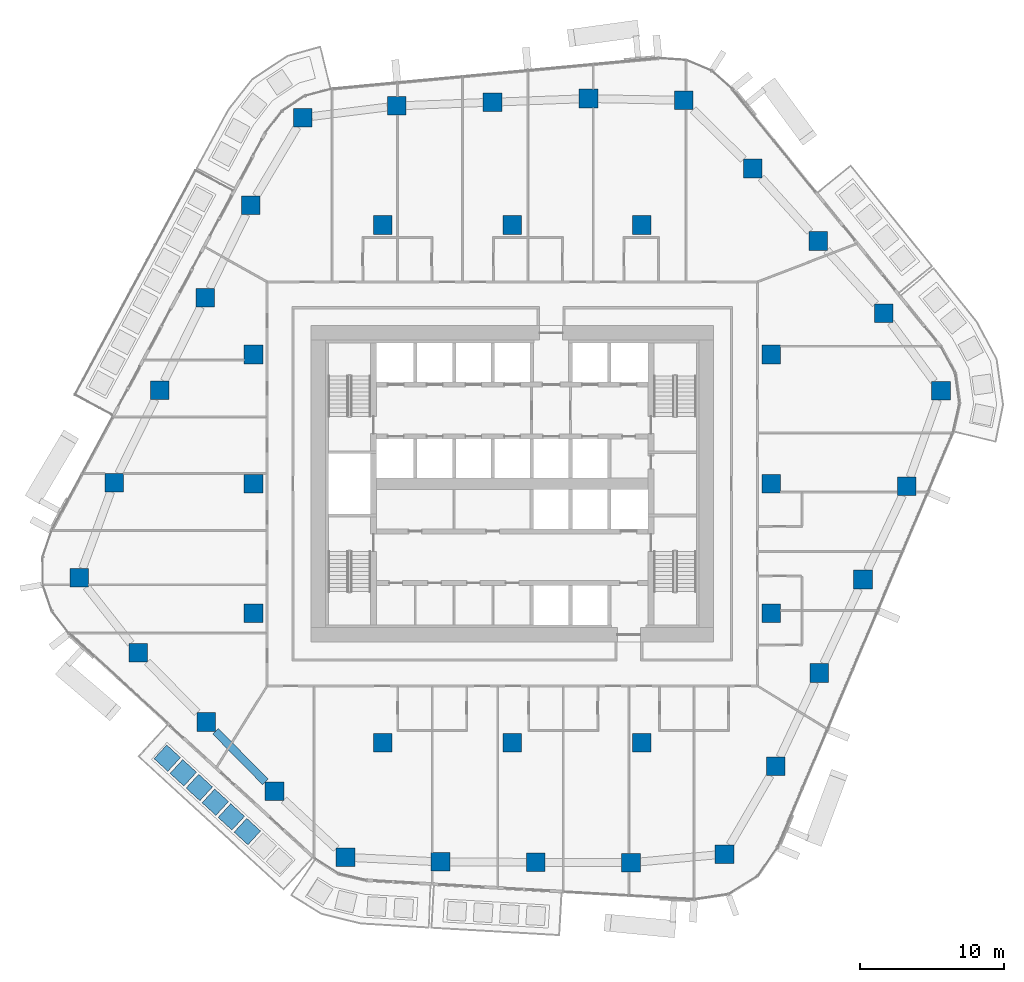
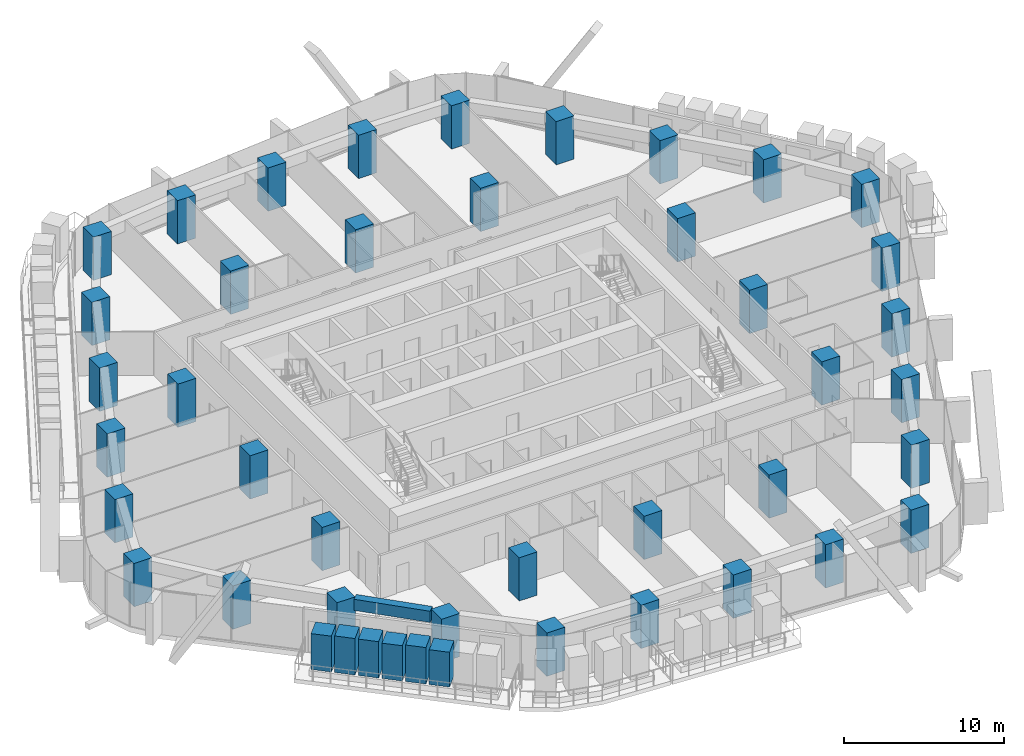
# One storey, part 1 of 23: 38 columns, 6 members, 1 beam.
"""IFC4 building model written with IfcOpenShell, lengths in metres."""

from ifc_helpers import new_model, si_unit, direction, frame, origin, origin_2d, place, context, subcontext, project, spatial, rectangle, extrude, material, material_profile, profile_set, type_object, element, save


model = new_model("IFC4")

# Units and contexts
model_context = context("Model", 3, precision=1e-05, world=origin(), true_north=direction((0.0, 1.0)))
body_context = subcontext(model_context, "Body", "Model", "MODEL_VIEW")
ifc_project = project(units=[si_unit("LENGTHUNIT", "METRE"), si_unit("AREAUNIT", "SQUARE_METRE"), si_unit("VOLUMEUNIT", "CUBIC_METRE"), si_unit("PLANEANGLEUNIT", "RADIAN"), si_unit("MASSUNIT", "GRAM", prefix="KILO")], contexts=[model_context])

# Site, building, storey
site_placement = place(None, origin())
site = spatial("IfcSite", under=ifc_project, at=site_placement, CompositionType="ELEMENT")
building_placement = place(site_placement, origin())
building = spatial("IfcBuilding", under=site, at=building_placement, Name="Dongbaek Canopy Tower", CompositionType="ELEMENT")
storey_placement = place(building_placement, frame((0.0, 0.0, 121.10009765625)))
storey = spatial("IfcBuildingStorey", under=building, at=storey_placement, Name="L26", CompositionType="ELEMENT", Elevation=121.10009765625)

# Columns
ifc_material_1 = material(Name="Concrete C80", Category="concrete")
ifc_material_profile_1 = material_profile(ifc_material_1, rectangle(XDim=1.300048828125, YDim=1.300048828125, at=origin_2d()), Name="RC COLUMN 1300x1300 C80")
ifc_profile_set_1 = profile_set([ifc_material_profile_1], Name="Concrete C80")
column_type = type_object("IfcColumnType", Name="RC COLUMN 1300x1300 C80", PredefinedType="COLUMN", material=ifc_profile_set_1)
for number, where, z_axis, x_axis, name in (
    (1, (14.760009765625, -25.7490234375, 0.0), (0.0, 0.0, 1.0), (1.0, 0.0, 0.0), "COL:CZ2-01:L26"),
    (2, (8.258056640625, -26.34912109375, 0.0), (0.0, 0.0, 1.0), (1.0, 0.0, 0.0), "COL:CZ2-02:L26"),
    (3, (1.62890625, -26.319091796875, 0.0), (0.0, 0.0, 1.0), (1.0, 0.0, 0.0), "COL:CZ2-03:L26"),
    (4, (-5.0, -26.2900390625, 0.0), (0.0, 0.0, 1.0), (1.0, 0.0, 0.0), "COL:CZ2-04:L26"),
    (5, (-11.59912109375, -25.966064453125, 0.0), (0.0, 0.0, 1.0), (1.0, 0.0, 0.0), "COL:CZ2-05:L26"),
    (6, (-16.532958984375, -21.376953125, 0.0), (0.0, 0.0, 1.0), (1.0, 0.0, 0.0), "COL:CZ2-06:L26"),
    (7, (-21.277099609375, -16.56005859375, 0.0), (0.0, 0.0, 1.0), (1.0, 0.0, 0.0), "COL:CZ2-07:L26"),
    (8, (-26.02099609375, -11.742919921875, 0.0), (0.0, 0.0, 1.0), (1.0, 0.0, 0.0), "COL:CZ2-08:L26"),
    (9, (-30.125, -6.527099609375, 0.0), (0.0, 0.0, 1.0), (1.0, 0.0, 0.0), "COL:CZ2-09:L26"),
    (10, (-27.693115234375, 0.0830078125, 0.0), (0.0, 0.0, 1.0), (1.0, 0.0, 0.0), "COL:CZ2-10:L26"),
    (11, (-24.529052734375, 6.51806640625, 0.0), (0.0, 0.0, 1.0), (1.0, 0.0, 0.0), "COL:CZ2-11:L26"),
    (12, (-21.364013671875, 12.951904296875, 0.0), (0.0, 0.0, 1.0), (1.0, 0.0, 0.0), "COL:CZ2-12:L26"),
    (13, (-18.198974609375, 19.385986328125, 0.0), (0.0, 0.0, 1.0), (1.0, 0.0, 0.0), "COL:CZ2-13:L26"),
    (14, (-14.575927734375, 25.471923828125, 0.0), (0.0, 0.0, 1.0), (1.0, 0.0, 0.0), "COL:CZ2-14:L26"),
    (15, (-8.041015625, 26.2880859375, 0.0), (0.0, 0.0, 1.0), (1.0, 0.0, 0.0), "COL:CZ2-15:L26"),
    (16, (-1.3720703125, 26.5439453125, 0.0), (0.0, 0.0, 1.0), (1.0, 0.0, 0.0), "COL:CZ2-16:L26"),
    (17, (5.294921875, 26.798095703125, 0.0), (0.0, 0.0, 1.0), (1.0, 0.0, 0.0), "COL:CZ2-17:L26"),
    (18, (11.9169921875, 26.674072265625, 0.0), (0.0, 0.0, 1.0), (1.0, 0.0, 0.0), "COL:CZ2-18:L26"),
    (19, (16.718017578125, 21.93505859375, 0.0), (0.0, 0.0, 1.0), (1.0, 0.0, 0.0), "COL:CZ2-19:L26"),
    (20, (21.280029296875, 16.89794921875, 0.0), (0.0, 0.0, 1.0), (1.0, 0.0, 0.0), "COL:CZ2-20:L26"),
    (21, (25.841064453125, 11.862060546875, 0.0), (0.0, 0.0, 1.0), (1.0, 0.0, 0.0), "COL:CZ2-21:L26"),
    (22, (29.81103515625, 6.48193359375, 0.0), (0.0, 0.0, 1.0), (1.0, 0.0, 0.0), "COL:CZ2-22:L26"),
    (23, (27.43603515625, -0.1650390625, 0.0), (0.0, 0.0, 1.0), (1.0, 0.0, 0.0), "COL:CZ2-23:L26"),
    (24, (24.39599609375, -6.656982421875, 0.0), (0.0, 0.0, 1.0), (1.0, 0.0, 0.0), "COL:CZ2-24:L26"),
    (25, (21.35595703125, -13.14990234375, 0.0), (0.0, 0.0, 1.0), (1.0, 0.0, 0.0), "COL:CZ2-25:L26"),
    (26, (18.31494140625, -19.64208984375, 0.0), (0.0, 0.0, 1.0), (1.0, 0.0, 0.0), "COL:CZ2-26:L26"),
    (27, (-18.0, -9.0, 0.0), (0.0, 0.0, 1.0), (1.0, 0.0, 0.0), "COL:CIZ2-01:L26"),
    (28, (-18.0, 0.0, 0.0), (0.0, 0.0, 1.0), (1.0, 0.0, 0.0), "COL:CIZ2-02:L26"),
    (29, (-18.0, 9.0, 0.0), (0.0, 0.0, 1.0), (1.0, 0.0, 0.0), "COL:CIZ2-03:L26"),
    (30, (-9.0, -18.0, 0.0), (0.0, 0.0, 1.0), (1.0, 0.0, 0.0), "COL:CIZ2-04:L26"),
    (31, (-9.0, 18.0, 0.0), (0.0, 0.0, 1.0), (1.0, 0.0, 0.0), "COL:CIZ2-05:L26"),
    (32, (0.0, -18.0, 0.0), (0.0, 0.0, 1.0), (1.0, 0.0, 0.0), "COL:CIZ2-06:L26"),
    (33, (0.0, 18.0, 0.0), (0.0, 0.0, 1.0), (1.0, 0.0, 0.0), "COL:CIZ2-07:L26"),
    (34, (9.0, -18.0, 0.0), (0.0, 0.0, 1.0), (1.0, 0.0, 0.0), "COL:CIZ2-08:L26"),
    (35, (9.0, 18.0, 0.0), (0.0, 0.0, 1.0), (1.0, 0.0, 0.0), "COL:CIZ2-09:L26"),
    (36, (18.0, -9.0, 0.0), (0.0, 0.0, 1.0), (1.0, 0.0, 0.0), "COL:CIZ2-10:L26"),
    (37, (18.0, 0.0, 0.0), (0.0, 0.0, 1.0), (1.0, 0.0, 0.0), "COL:CIZ2-11:L26"),
    (38, (18.0, 9.0, 0.0), (0.0, 0.0, 1.0), (1.0, 0.0, 0.0), "COL:CIZ2-12:L26"),
):
    element("IfcColumn", number, at=place(storey_placement, frame(where, z_axis=z_axis, x_axis=x_axis)), inside=storey, type_object=column_type, Name=name, PredefinedType="COLUMN", context=body_context, shape_type="SweptSolid", body=[
        extrude(rectangle(XDim=1.300048828125, YDim=1.300048828125, at=origin_2d()), origin(), (0.0, 0.0, 1.0), 3.2998046875),
    ])

# Beam
ifc_material_2 = material(Name="Concrete C80", Category="concrete")
ifc_material_profile_2 = material_profile(ifc_material_2, rectangle(XDim=0.550048828125, YDim=0.85009765625, at=origin_2d()), Name="RC EDGE BEAM 550x850 C80")
ifc_profile_set_2 = profile_set([ifc_material_profile_2], Name="Concrete C80")
beam_type = type_object("IfcBeamType", Name="RC EDGE BEAM 550x850 C80", PredefinedType="BEAM", material=ifc_profile_set_2)
beam_placement = place(storey_placement, frame((-17.173095703125, -20.72705078125, 2.875), z_axis=(-0.701695422573, 0.712477040992, 0.0), x_axis=(-0.712477040992, -0.701695422573, 0.0)))
element("IfcBeam", 39, at=beam_placement, inside=storey, type_object=beam_type, Name="EDGEBEAM:L26:05", PredefinedType="BEAM", context=body_context, shape_type="SweptSolid", body=[
    extrude(rectangle(XDim=0.550048828125, YDim=0.85009765625, at=origin_2d()), origin(), (0.0, 0.0, 1.0), 4.9365234375),
])

# Members
ifc_material_3 = material(Name="Concrete C40/50 planter mass with planting", Category="concrete")
ifc_material_profile_3 = material_profile(ifc_material_3, rectangle(XDim=1.300048828125, YDim=1.300048828125, at=origin_2d()), Name="Terrace PLANTER shrub mass 1300 x 1300")
ifc_profile_set_3 = profile_set([ifc_material_profile_3], Name="Concrete C40/50 planter mass with planting")
member_type = type_object("IfcMemberType", Name="Terrace PLANTER shrub mass 1300 x 1300", PredefinedType="USERDEFINED", material=ifc_profile_set_3)
member_1_placement = place(storey_placement, frame((-23.99560546875, -19.074462890625, 0.419921875), z_axis=(0.0, 0.0, 1.0), x_axis=(-0.675980347655, -0.73691964934, 0.0)))
element("IfcMember", 40, at=member_1_placement, inside=storey, type_object=member_type, Name="Planter shrubs L26 3.1", ObjectType="PLANTER", PredefinedType="USERDEFINED", context=body_context, shape_type="SweptSolid", body=[
    extrude(rectangle(XDim=1.300048828125, YDim=1.300048828125, at=origin_2d()), origin(), (0.0, 0.0, 1.0), 2.72998046875),
])
member_2_placement = place(storey_placement, frame((-22.882080078125, -20.095947265625, 0.419921875), z_axis=(0.0, 0.0, 1.0), x_axis=(-0.675980347655, -0.73691964934, 0.0)))
element("IfcMember", 41, at=member_2_placement, inside=storey, type_object=member_type, Name="Planter shrubs L26 3.2", ObjectType="PLANTER", PredefinedType="USERDEFINED", context=body_context, shape_type="SweptSolid", body=[
    extrude(rectangle(XDim=1.300048828125, YDim=1.300048828125, at=origin_2d()), origin(), (0.0, 0.0, 1.0), 2.780029296875),
])
member_3_placement = place(storey_placement, frame((-21.7685546875, -21.117431640625, 0.419921875), z_axis=(0.0, 0.0, 1.0), x_axis=(-0.675980347655, -0.73691964934, 0.0)))
element("IfcMember", 42, at=member_3_placement, inside=storey, type_object=member_type, Name="Planter shrubs L26 3.3", ObjectType="PLANTER", PredefinedType="USERDEFINED", context=body_context, shape_type="SweptSolid", body=[
    extrude(rectangle(XDim=1.300048828125, YDim=1.300048828125, at=origin_2d()), origin(), (0.0, 0.0, 1.0), 2.77001953125),
])
member_4_placement = place(storey_placement, frame((-20.655029296875, -22.138916015625, 0.419921875), z_axis=(0.0, 0.0, 1.0), x_axis=(-0.675980347655, -0.73691964934, 0.0)))
element("IfcMember", 43, at=member_4_placement, inside=storey, type_object=member_type, Name="Planter shrubs L26 3.4", ObjectType="PLANTER", PredefinedType="USERDEFINED", context=body_context, shape_type="SweptSolid", body=[
    extrude(rectangle(XDim=1.300048828125, YDim=1.300048828125, at=origin_2d()), origin(), (0.0, 0.0, 1.0), 2.68994140625),
])
member_5_placement = place(storey_placement, frame((-19.54150390625, -23.160400390625, 0.419921875), z_axis=(0.0, 0.0, 1.0), x_axis=(-0.675980347655, -0.73691964934, 0.0)))
element("IfcMember", 44, at=member_5_placement, inside=storey, type_object=member_type, Name="Planter shrubs L26 3.5", ObjectType="PLANTER", PredefinedType="USERDEFINED", context=body_context, shape_type="SweptSolid", body=[
    extrude(rectangle(XDim=1.300048828125, YDim=1.300048828125, at=origin_2d()), origin(), (0.0, 0.0, 1.0), 2.780029296875),
])
member_6_placement = place(storey_placement, frame((-18.427978515625, -24.181640625, 0.419921875), z_axis=(0.0, 0.0, 1.0), x_axis=(-0.675980347655, -0.73691964934, 0.0)))
element("IfcMember", 45, at=member_6_placement, inside=storey, type_object=member_type, Name="Planter shrubs L26 3.6", ObjectType="PLANTER", PredefinedType="USERDEFINED", context=body_context, shape_type="SweptSolid", body=[
    extrude(rectangle(XDim=1.300048828125, YDim=1.300048828125, at=origin_2d()), origin(), (0.0, 0.0, 1.0), 2.64990234375),
])

save(model, "model.ifc")
